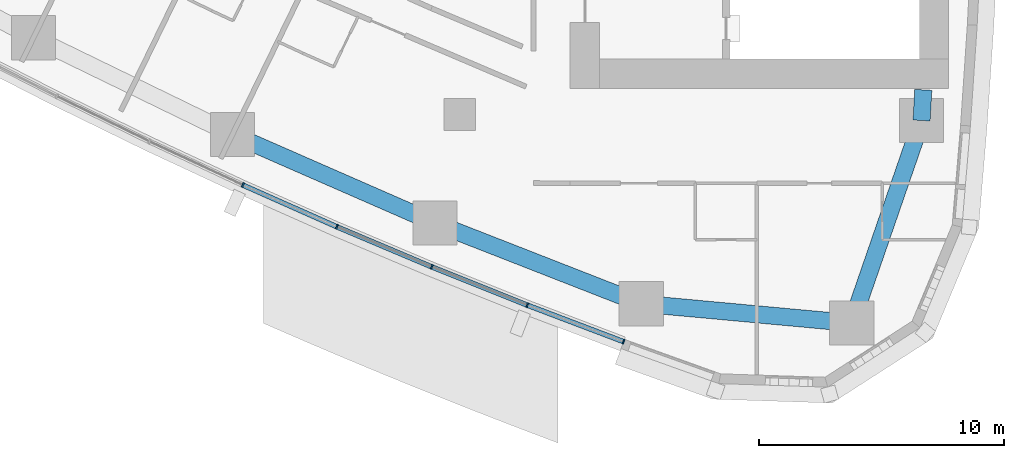
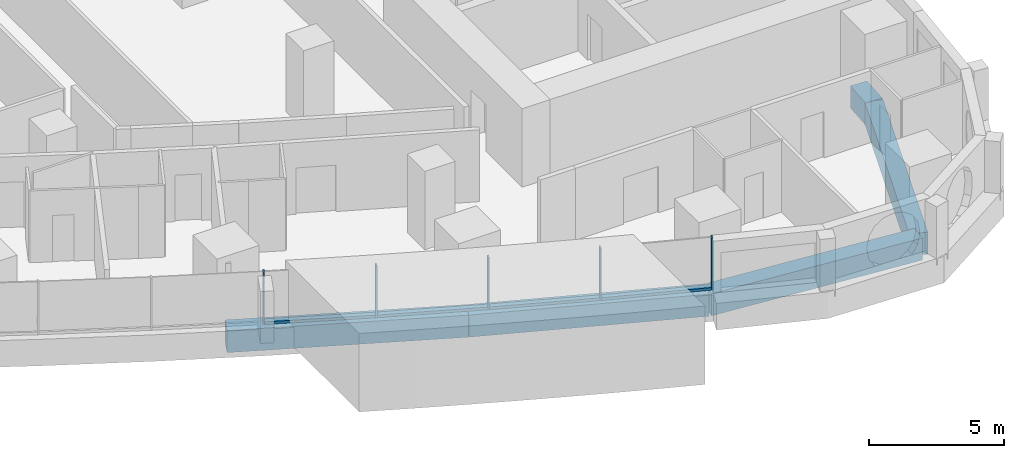
# One storey, part 3 of 19: 9 members, 5 beams, 3 elements without a shape of their own.
"""IFC4 building model written with IfcOpenShell, lengths in metres."""

from ifc_helpers import new_model, si_unit, direction, frame, origin, origin_2d, place, context, subcontext, project, spatial, rectangle, extrude, material, layer, layer_set, material_profile, profile_set, type_object, element, aggregate, save


model = new_model("IFC4")

# Units and contexts
model_context = context("Model", 3, precision=1e-05, world=origin(), true_north=direction((0.0, 1.0)))
body_context = subcontext(model_context, "Body", "Model", "MODEL_VIEW")
ifc_project = project(units=[si_unit("LENGTHUNIT", "METRE"), si_unit("AREAUNIT", "SQUARE_METRE"), si_unit("VOLUMEUNIT", "CUBIC_METRE"), si_unit("PLANEANGLEUNIT", "RADIAN"), si_unit("MASSUNIT", "GRAM", prefix="KILO")], contexts=[model_context])

# Site, building, storey
site_placement = place(None, origin())
site = spatial("IfcSite", under=ifc_project, at=site_placement, CompositionType="ELEMENT")
building_placement = place(site_placement, origin())
building = spatial("IfcBuilding", under=site, at=building_placement, Name="Ostrand Prow Hotel Tower", CompositionType="ELEMENT")
storey_placement = place(building_placement, frame((0.0, 0.0, 43.14990234375)))
storey = spatial("IfcBuildingStorey", under=building, at=storey_placement, Name="L08", CompositionType="ELEMENT", Elevation=43.14990234375)

# Beams
ifc_material_1 = material(Name="Concrete C80/95", Category="concrete")
ifc_material_profile_1 = material_profile(ifc_material_1, rectangle(XDim=0.699951171875, YDim=1.0, at=origin_2d()), Name="RC 700x1000")
ifc_profile_set_1 = profile_set([ifc_material_profile_1], Name="Concrete C80/95")
beam_type = type_object("IfcBeamType", Name="Edge beam 700x1000 C80/95", PredefinedType="SPANDREL", material=ifc_profile_set_1)
for number, where, z_axis, x_axis, name in (
    (1, (35.7412109375, -18.814208984375, -0.7998046875), (0.916095776162, -0.400959510297, 0.0), (0.400959510297, 0.916095776162, 0.0), "Edge beam S4-S5"),
    (2, (43.997802734375, -22.427978515625, -0.7998046875), (0.931329480916, -0.364177701098, 0.0), (0.364177701098, 0.931329480916, 0.0), "Edge beam S5-S6"),
):
    element("IfcBeam", number, at=place(storey_placement, frame(where, z_axis=z_axis, x_axis=x_axis)), inside=storey, type_object=beam_type, Name=name, PredefinedType="SPANDREL", context=body_context, shape_type="SweptSolid", body=[
        extrude(rectangle(XDim=0.699951171875, YDim=1.0, at=origin_2d()), origin(), (0.0, 0.0, 1.0), 9.0126953125),
    ])
beam_1_placement = place(storey_placement, frame((52.3916015625, -25.710205078125, -0.7998046875), z_axis=(0.995800189514, -0.091553167961, 0.0), x_axis=(0.091553167961, 0.995800189514, 0.0)))
element("IfcBeam", 3, at=beam_1_placement, inside=storey, type_object=beam_type, Name="Edge beam S6-SE", PredefinedType="SPANDREL", context=body_context, shape_type="SweptSolid", body=[
    extrude(rectangle(XDim=0.699951171875, YDim=1.0, at=origin_2d()), origin(), (0.0, 0.0, 1.0), 8.610595703125),
])
beam_2_placement = place(storey_placement, frame((60.966064453125, -26.49853515625, -0.7998046875), z_axis=(0.326263961413, 0.945278703602, 0.0), x_axis=(-0.945278703602, 0.326263961413, 0.0)))
element("IfcBeam", 4, at=beam_2_placement, inside=storey, type_object=beam_type, Name="Edge beam SE-B1", PredefinedType="SPANDREL", context=body_context, shape_type="SweptSolid", body=[
    extrude(rectangle(XDim=0.699951171875, YDim=1.0, at=origin_2d()), origin(), (0.0, 0.0, 1.0), 8.727294921875),
])
beam_3_placement = place(storey_placement, frame((63.8134765625, -18.248779296875, -0.7998046875), z_axis=(0.056215946509, 0.998418633319, 0.0), x_axis=(-0.998418633319, 0.056215946509, 0.0)))
element("IfcBeam", 5, at=beam_3_placement, inside=storey, type_object=beam_type, Name="Edge beam B1-B2", PredefinedType="SPANDREL", context=body_context, shape_type="SweptSolid", body=[
    extrude(rectangle(XDim=0.699951171875, YDim=1.0, at=origin_2d()), origin(), (0.0, 0.0, 1.0), 1.250732421875),
])

# Curtain wall, member
ifc_material_2 = material(Name="Insulated glass in bronze anodised frame", Category="glass")
ifc_layer = layer(ifc_material_2, 0.199951171875)
ifc_layer_set = layer_set([ifc_layer], Name="Insulated glass in bronze anodised frame")
curtain_wall_type = type_object("IfcCurtainWallType", Name="Strip curtain wall, fritted glass over bronze spandrel", PredefinedType="NOTDEFINED", material=ifc_layer_set)
curtain_wall_1_placement = place(storey_placement, origin())
curtain_wall_1 = element("IfcCurtainWall", 6, at=curtain_wall_1_placement, inside=storey, type_object=curtain_wall_type, Name="CW1 run CWS3", PredefinedType="NOTDEFINED")
ifc_material_3 = material(Name="Bronze anodised aluminium", Category="aluminium")
ifc_material_profile_2 = material_profile(ifc_material_3, rectangle(XDim=0.199951171875, YDim=0.06005859375, at=origin_2d()), Name="Mullion 60x200 bronze anodised aluminium")
ifc_profile_set_2 = profile_set([ifc_material_profile_2], Name="Bronze anodised aluminium")
member_type_1 = type_object("IfcMemberType", Name="Mullion 60x200 bronze anodised aluminium", PredefinedType="MULLION", material=ifc_profile_set_2)
member_1_placement = place(storey_placement, frame((36.162109375, -20.876953125, 0.900146484375), z_axis=(0.0, 0.0, 1.0), x_axis=(0.422529678615, 0.906349088757, 0.0)))
member_1 = element("IfcMember", 7, at=member_1_placement, type_object=member_type_1, Name="CW1 mullion 3", PredefinedType="MULLION", context=body_context, shape_type="SweptSolid", body=[
    extrude(rectangle(XDim=0.199951171875, YDim=0.06005859375, at=origin_2d()), origin(), (0.0, 0.0, 1.0), 2.349853515625),
])
aggregate(curtain_wall_1, [member_1])

# Curtain wall, members
curtain_wall_2_placement = place(storey_placement, origin())
curtain_wall_2 = element("IfcCurtainWall", 8, at=curtain_wall_2_placement, inside=storey, type_object=curtain_wall_type, Name="CW1 run CWS4", PredefinedType="NOTDEFINED")
member_2_placement = place(storey_placement, frame((39.99560546875, -22.5791015625, 0.900146484375), z_axis=(0.0, 0.0, 1.0), x_axis=(0.388892418709, 0.921283173987, 0.0)))
member_2 = element("IfcMember", 9, at=member_2_placement, type_object=member_type_1, Name="CW1 mullion 2", PredefinedType="MULLION", context=body_context, shape_type="SweptSolid", body=[
    extrude(rectangle(XDim=0.199951171875, YDim=0.06005859375, at=origin_2d()), origin(), (0.0, 0.0, 1.0), 2.349853515625),
])
member_3_placement = place(storey_placement, frame((43.859619140625, -24.210205078125, 0.900146484375), z_axis=(0.0, 0.0, 1.0), x_axis=(0.388892418709, 0.921283173987, 0.0)))
member_3 = element("IfcMember", 10, at=member_3_placement, type_object=member_type_1, Name="CW1 mullion 3", PredefinedType="MULLION", context=body_context, shape_type="SweptSolid", body=[
    extrude(rectangle(XDim=0.199951171875, YDim=0.06005859375, at=origin_2d()), origin(), (0.0, 0.0, 1.0), 2.349853515625),
])

curtain_wall_3_placement = place(storey_placement, origin())
curtain_wall_3 = element("IfcCurtainWall", 11, at=curtain_wall_3_placement, inside=storey, type_object=curtain_wall_type, Name="CW1 run CWS5", PredefinedType="NOTDEFINED")
member_4_placement = place(storey_placement, frame((47.7529296875, -25.769775390625, 0.900146484375), z_axis=(0.0, 0.0, 1.0), x_axis=(0.354728407072, 0.934969388384, 0.0)))
member_4 = element("IfcMember", 12, at=member_4_placement, type_object=member_type_1, Name="CW1 mullion 2", PredefinedType="MULLION", context=body_context, shape_type="SweptSolid", body=[
    extrude(rectangle(XDim=0.199951171875, YDim=0.06005859375, at=origin_2d()), origin(), (0.0, 0.0, 1.0), 2.349853515625),
])
member_5_placement = place(storey_placement, frame((51.674560546875, -27.2578125, 0.900146484375), z_axis=(0.0, 0.0, 1.0), x_axis=(0.354728407072, 0.934969388384, 0.0)))
member_5 = element("IfcMember", 13, at=member_5_placement, type_object=member_type_1, Name="CW1 mullion 3", PredefinedType="MULLION", context=body_context, shape_type="SweptSolid", body=[
    extrude(rectangle(XDim=0.199951171875, YDim=0.06005859375, at=origin_2d()), origin(), (0.0, 0.0, 1.0), 2.349853515625),
])

# Member
ifc_material_4 = material(Name="Bronze anodised aluminium", Category="aluminium")
ifc_material_profile_3 = material_profile(ifc_material_4, rectangle(XDim=0.199951171875, YDim=0.1201171875, at=origin_2d()), Name="Transom 120x200 bronze anodised aluminium")
ifc_profile_set_3 = profile_set([ifc_material_profile_3], Name="Bronze anodised aluminium")
member_type_2 = type_object("IfcMemberType", Name="Transom 120x200 bronze anodised aluminium", PredefinedType="USERDEFINED", material=ifc_profile_set_3)
member_6_placement = place(storey_placement, frame((36.189453125, -20.88916015625, 0.960205078125), z_axis=(0.913957599094, -0.405809693156, 0.0), x_axis=(0.405809693156, 0.913957599094, 0.0)))
member_6 = element("IfcMember", 14, at=member_6_placement, type_object=member_type_2, Name="CW1 transom 1.1", ObjectType="TRANSOM", PredefinedType="USERDEFINED", context=body_context, shape_type="SweptSolid", body=[
    extrude(rectangle(XDim=0.199951171875, YDim=0.1201171875, at=origin_2d()), origin(), (0.0, 0.0, 1.0), 4.13427734375),
])

member_7_placement = place(storey_placement, frame((40.023193359375, -22.5908203125, 0.960205078125), z_axis=(0.921284828297, -0.388888499637, 0.0), x_axis=(0.388888499637, 0.921284828297, 0.0)))
member_7 = element("IfcMember", 15, at=member_7_placement, type_object=member_type_2, Name="CW1 transom 2.1", ObjectType="TRANSOM", PredefinedType="USERDEFINED", context=body_context, shape_type="SweptSolid", body=[
    extrude(rectangle(XDim=0.199951171875, YDim=0.1201171875, at=origin_2d()), origin(), (0.0, 0.0, 1.0), 4.134033203125),
])

aggregate(curtain_wall_2, [member_2, member_3, member_6, member_7])

member_8_placement = place(storey_placement, frame((43.887451171875, -24.22119140625, 0.960205078125), z_axis=(0.928264761225, -0.371920062739, 0.0), x_axis=(0.371920062739, 0.928264761225, 0.0)))
member_8 = element("IfcMember", 16, at=member_8_placement, type_object=member_type_2, Name="CW1 transom 1.1", ObjectType="TRANSOM", PredefinedType="USERDEFINED", context=body_context, shape_type="SweptSolid", body=[
    extrude(rectangle(XDim=0.199951171875, YDim=0.1201171875, at=origin_2d()), origin(), (0.0, 0.0, 1.0), 4.13427734375),
])

member_9_placement = place(storey_placement, frame((47.781005859375, -25.780517578125, 0.960205078125), z_axis=(0.93497051437, -0.354725439261, 0.0), x_axis=(0.354725439261, 0.93497051437, 0.0)))
member_9 = element("IfcMember", 17, at=member_9_placement, type_object=member_type_2, Name="CW1 transom 2.1", ObjectType="TRANSOM", PredefinedType="USERDEFINED", context=body_context, shape_type="SweptSolid", body=[
    extrude(rectangle(XDim=0.199951171875, YDim=0.1201171875, at=origin_2d()), origin(), (0.0, 0.0, 1.0), 4.13427734375),
])

aggregate(curtain_wall_3, [member_4, member_5, member_8, member_9])

save(model, "model.ifc")
